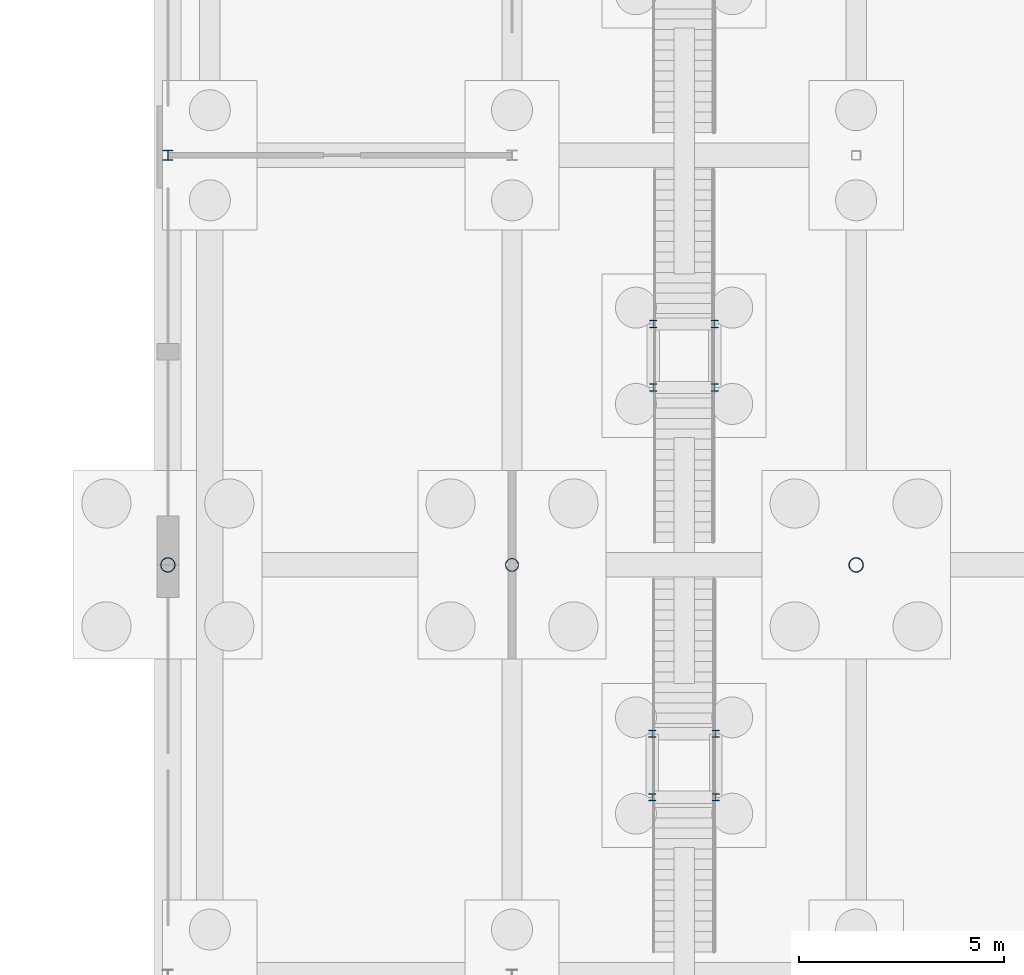
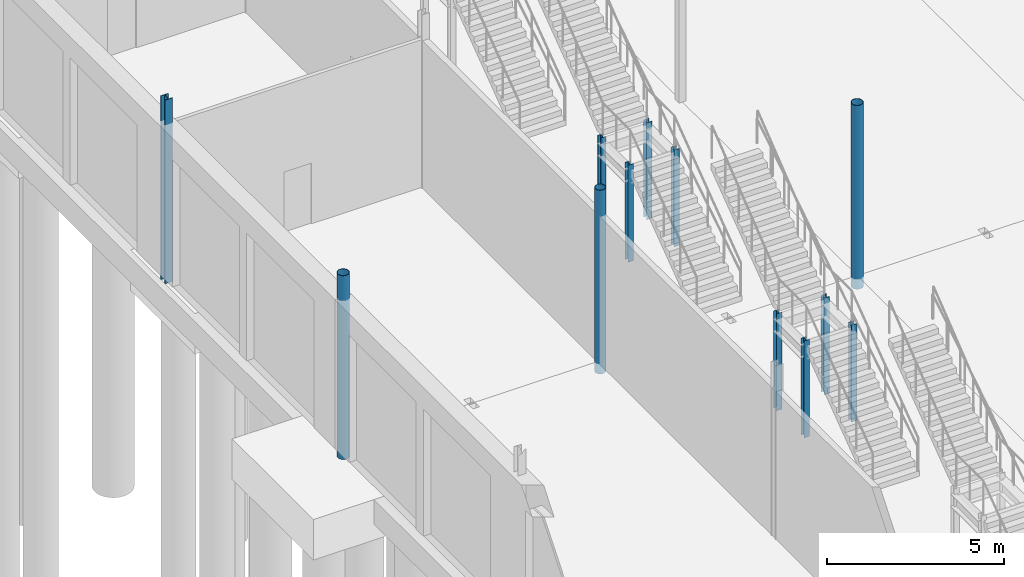
# One storey, part 25 of 139: 12 columns.
"""IFC4 building model written with IfcOpenShell, lengths in metres."""

from ifc_helpers import new_model, si_unit, direction, frame, origin, origin_2d, place, context, subcontext, project, spatial, hollow_circle, i_section, extrude, material, material_profile, profile_set, type_object, element, save


model = new_model("IFC4")

# Units and contexts
model_context = context("Model", 3, precision=1e-05, world=origin(), true_north=direction((0.0, 1.0)))
body_context = subcontext(model_context, "Body", "Model", "MODEL_VIEW")
ifc_project = project(units=[si_unit("LENGTHUNIT", "METRE"), si_unit("AREAUNIT", "SQUARE_METRE"), si_unit("VOLUMEUNIT", "CUBIC_METRE"), si_unit("PLANEANGLEUNIT", "RADIAN"), si_unit("MASSUNIT", "GRAM", prefix="KILO")], contexts=[model_context])

# Site, building, storey
site_placement = place(None, origin())
site = spatial("IfcSite", under=ifc_project, at=site_placement, CompositionType="ELEMENT")
building_placement = place(site_placement, origin())
building = spatial("IfcBuilding", under=site, at=building_placement, Name="Kazenagashi Tramway Depot", CompositionType="ELEMENT")
storey_placement = place(building_placement, origin())
storey = spatial("IfcBuildingStorey", under=building, at=storey_placement, Name="L01", CompositionType="ELEMENT", Elevation=0.0)

# Columns
ifc_material_1 = material(Name="Steel SN490B", Category="steel")
ifc_material_profile_1 = material_profile(ifc_material_1, i_section(OverallWidth=0.25, OverallDepth=0.25, WebThickness=0.009, FlangeThickness=0.014, at=origin_2d()), Name="H-250x250x9x14")
ifc_profile_set_1 = profile_set([ifc_material_profile_1], Name="Steel SN490B")
column_type_1 = type_object("IfcColumnType", Name="C-06", PredefinedType="COLUMN", material=ifc_profile_set_1)
column_1_placement = place(storey_placement, frame((44.8, 110.0, -0.35), z_axis=(0.0, 0.0, 1.0), x_axis=(1.0, 0.0, 0.0)))
element("IfcColumn", 1, at=column_1_placement, inside=storey, type_object=column_type_1, Name="Column C-06 COL-0137", PredefinedType="COLUMN", context=body_context, shape_type="SweptSolid", body=[
    extrude(i_section(OverallWidth=0.25, OverallDepth=0.25, WebThickness=0.009, FlangeThickness=0.014, at=origin_2d()), origin(), (0.0, 0.0, 1.0), 6.35),
])
ifc_material_2 = material(Name="Steel SN400B", Category="steel")
ifc_material_profile_2 = material_profile(ifc_material_2, i_section(OverallWidth=0.175, OverallDepth=0.175, WebThickness=0.0075, FlangeThickness=0.011, at=origin_2d()), Name="H-175x175x7.5x11")
ifc_profile_set_2 = profile_set([ifc_material_profile_2], Name="Steel SN400B")
column_type_2 = type_object("IfcColumnType", Name="C-08", PredefinedType="COLUMN", material=ifc_profile_set_2)
for number, where, z_axis, x_axis, name in (
    (2, (56.625, 94.33, -0.35), (0.0, 0.0, 1.0), (1.0, 0.0, 0.0), "Column C-08 COL-0879"),
    (3, (56.625, 95.88, -0.35), (0.0, 0.0, 1.0), (1.0, 0.0, 0.0), "Column C-08 COL-0880"),
    (4, (58.175, 94.33, -0.35), (0.0, 0.0, 1.0), (1.0, 0.0, 0.0), "Column C-08 COL-0881"),
    (5, (58.175, 95.88, -0.35), (0.0, 0.0, 1.0), (1.0, 0.0, 0.0), "Column C-08 COL-0882"),
    (6, (56.65, 104.33, -0.35), (0.0, 0.0, 1.0), (1.0, 0.0, 0.0), "Column C-08 COL-0883"),
    (7, (56.65, 105.88, -0.35), (0.0, 0.0, 1.0), (1.0, 0.0, 0.0), "Column C-08 COL-0884"),
    (8, (58.15, 104.33, -0.35), (0.0, 0.0, 1.0), (1.0, 0.0, 0.0), "Column C-08 COL-0885"),
    (9, (58.15, 105.88, -0.35), (0.0, 0.0, 1.0), (1.0, 0.0, 0.0), "Column C-08 COL-0886"),
):
    element("IfcColumn", number, at=place(storey_placement, frame(where, z_axis=z_axis, x_axis=x_axis)), inside=storey, type_object=column_type_2, Name=name, PredefinedType="COLUMN", context=body_context, shape_type="SweptSolid", body=[
        extrude(i_section(OverallWidth=0.175, OverallDepth=0.175, WebThickness=0.0075, FlangeThickness=0.011, at=origin_2d()), origin(), (0.0, 0.0, 1.0), 3.35),
    ])
ifc_material_3 = material(Name="Steel STK490", Category="steel")
ifc_material_profile_3 = material_profile(ifc_material_3, hollow_circle(Radius=0.1778, WallThickness=0.0127, at=origin_2d()), Name="CHS-355.6x12.7")
ifc_profile_set_3 = profile_set([ifc_material_profile_3], Name="Steel STK490")
column_type_3 = type_object("IfcColumnType", Name="C-13", PredefinedType="COLUMN", material=ifc_profile_set_3)
for number, where, z_axis, x_axis, name in (
    (10, (44.8, 100.0, -0.35), (0.0, 0.0, 1.0), (1.0, 0.0, 0.0), "Column C-13 COL-0003"),
    (11, (61.6, 100.0, -0.35), (0.0, 0.0, 1.0), (1.0, 0.0, 0.0), "Column C-13 COL-0015"),
):
    element("IfcColumn", number, at=place(storey_placement, frame(where, z_axis=z_axis, x_axis=x_axis)), inside=storey, type_object=column_type_3, Name=name, PredefinedType="COLUMN", context=body_context, shape_type="SweptSolid", body=[
        extrude(hollow_circle(Radius=0.1778, WallThickness=0.0127, at=origin_2d()), origin(), (0.0, 0.0, 1.0), 6.35),
    ])
ifc_material_profile_4 = material_profile(ifc_material_3, hollow_circle(Radius=0.15925, WallThickness=0.0103, at=origin_2d()), Name="CHS-318.5x10.3")
ifc_profile_set_4 = profile_set([ifc_material_profile_4], Name="Steel STK490")
column_type_4 = type_object("IfcColumnType", Name="C-18", PredefinedType="COLUMN", material=ifc_profile_set_4)
column_2_placement = place(storey_placement, frame((53.2, 100.0, -0.35), z_axis=(0.0, 0.0, 1.0), x_axis=(1.0, 0.0, 0.0)))
element("IfcColumn", 12, at=column_2_placement, inside=storey, type_object=column_type_4, Name="Column C-18 COL-0009", PredefinedType="COLUMN", context=body_context, shape_type="SweptSolid", body=[
    extrude(hollow_circle(Radius=0.15925, WallThickness=0.0103, at=origin_2d()), origin(), (0.0, 0.0, 1.0), 6.35),
])

save(model, "model.ifc")
